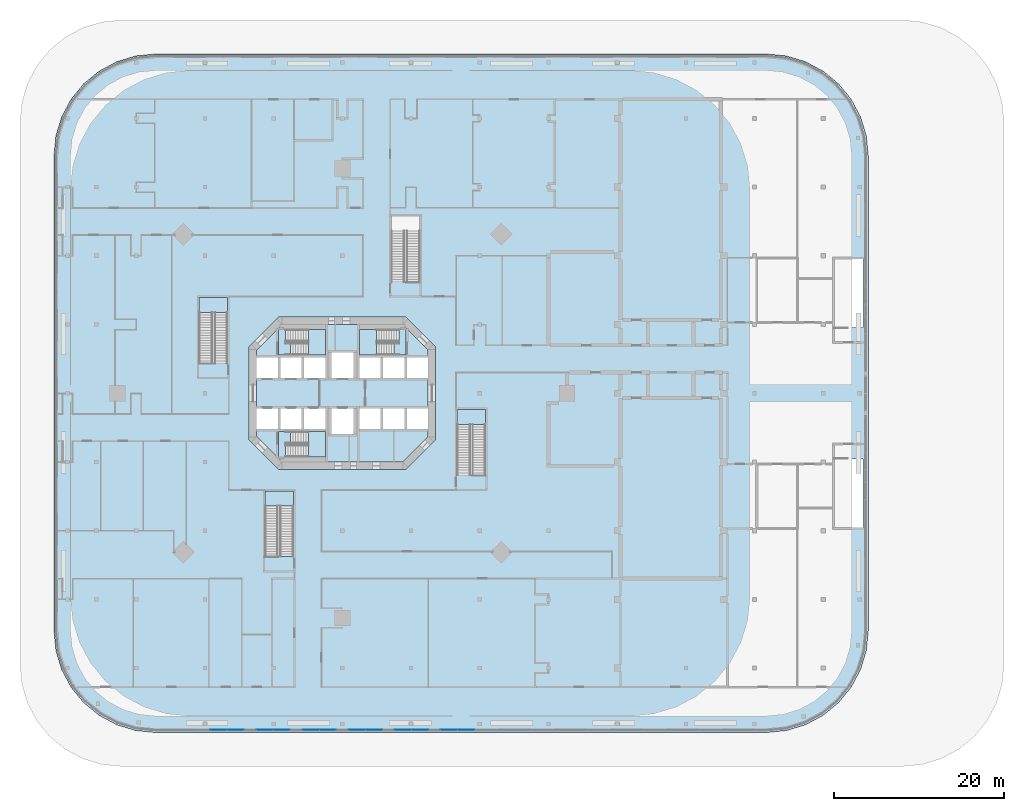
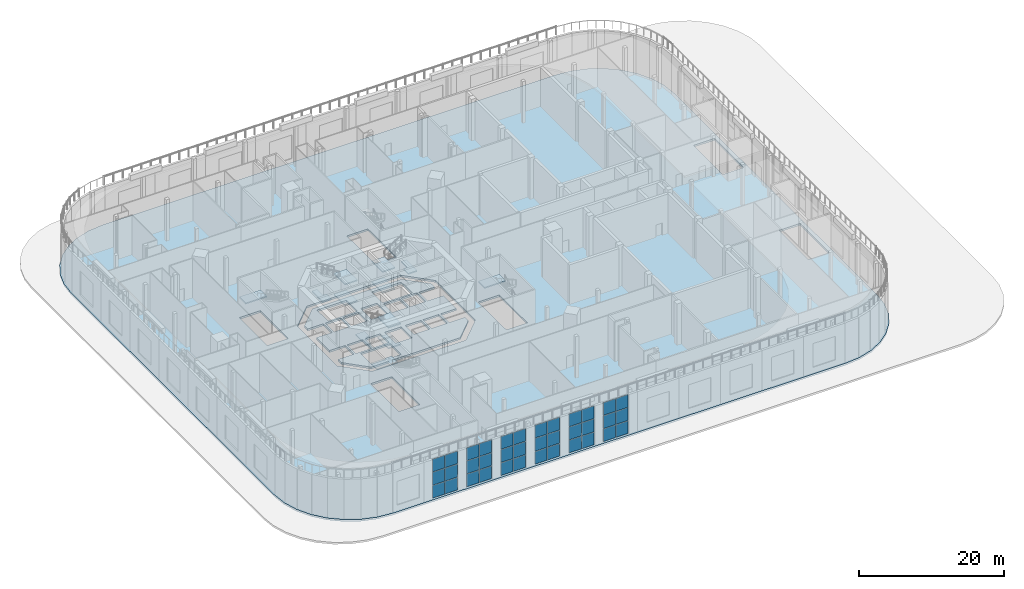
# One storey, part 4 of 21: 36 plates, 14 slabs, 12 elements without a shape of their own.
"""IFC4 building model written with IfcOpenShell, lengths in metres."""

from ifc_helpers import new_model, si_unit, direction, frame, origin, origin_2d, place, context, subcontext, project, spatial, polyline, rectangle, outline, extrude, material, layer, layer_set, type_object, element, aggregate, save


model = new_model("IFC4")

# Units and contexts
model_context = context("Model", 3, precision=1e-05, world=origin(), true_north=direction((0.0, 1.0)))
body_context = subcontext(model_context, "Body", "Model", "MODEL_VIEW")
ifc_project = project(units=[si_unit("LENGTHUNIT", "METRE"), si_unit("AREAUNIT", "SQUARE_METRE"), si_unit("VOLUMEUNIT", "CUBIC_METRE"), si_unit("PLANEANGLEUNIT", "RADIAN"), si_unit("MASSUNIT", "GRAM", prefix="KILO")], contexts=[model_context])

# Site, building, storey
site_placement = place(None, origin())
site = spatial("IfcSite", under=ifc_project, at=site_placement, CompositionType="ELEMENT")
building_placement = place(site_placement, origin())
building = spatial("IfcBuilding", under=site, at=building_placement, Name="Torre Triforio", CompositionType="ELEMENT")
storey_placement = place(building_placement, frame((0.0, 0.0, 6.0)))
storey = spatial("IfcBuildingStorey", under=building, at=storey_placement, Name="L01", CompositionType="ELEMENT", Elevation=6.0)

# Slab
ifc_material_1 = material(Name="Concrete C60", Category="concrete")
ifc_layer_1 = layer(ifc_material_1, 0.320068359375)
ifc_layer_set_1 = layer_set([ifc_layer_1], Name="Concrete C60")
slab_type_1 = type_object("IfcSlabType", Name="Core floor slab 320 mm C60 REI 120", PredefinedType="FLOOR", material=ifc_layer_set_1)
slab_1_placement = place(storey_placement, frame((0.0, 0.0, -0.320068359375)))
element("IfcSlab", 1, at=slab_1_placement, inside=storey, type_object=slab_type_1, Name="Core floor slab", PredefinedType="FLOOR", context=body_context, shape_type="SweptSolid", body=[
    extrude(outline(polyline([(10.10009765625, -5.10009765625), (7.10009765625, -8.10009765625), (-7.10009765625, -8.10009765625), (-10.10009765625, -5.10009765625), (-10.10009765625, -4.199951171875), (-7.60009765625, -4.199951171875), (-7.60009765625, -1.800048828125), (-10.10009765625, -1.800048828125), (-10.10009765625, 1.800048828125), (-7.60009765625, 1.800048828125), (-7.60009765625, 4.199951171875), (-10.10009765625, 4.199951171875), (-10.10009765625, 5.10009765625), (-7.10009765625, 8.10009765625), (7.10009765625, 8.10009765625), (10.10009765625, 5.10009765625), (10.10009765625, 4.199951171875), (7.60009765625, 4.199951171875), (7.60009765625, 1.800048828125), (10.10009765625, 1.800048828125), (10.10009765625, -1.800048828125), (7.60009765625, -1.800048828125), (7.60009765625, -4.199951171875), (10.10009765625, -4.199951171875), (10.10009765625, -5.10009765625)]), holes=[polyline([(-2.0, -4.5), (-6.696044921875, -4.5), (-6.696044921875, -7.5), (-2.0, -7.5), (-2.0, -4.5)]), polyline([(-4.800048828125, -1.800048828125), (-7.300048828125, -1.800048828125), (-7.300048828125, -4.199951171875), (-4.800048828125, -4.199951171875), (-4.800048828125, -1.800048828125)]), polyline([(-2.0, -1.800048828125), (-4.5, -1.800048828125), (-4.5, -4.199951171875), (-2.0, -4.199951171875), (-2.0, -1.800048828125)]), polyline([(-4.800048828125, 4.199951171875), (-7.300048828125, 4.199951171875), (-7.300048828125, 1.800048828125), (-4.800048828125, 1.800048828125), (-4.800048828125, 4.199951171875)]), polyline([(-2.0, 4.199951171875), (-4.5, 4.199951171875), (-4.5, 1.800048828125), (-2.0, 1.800048828125), (-2.0, 4.199951171875)]), polyline([(1.300048828125, 4.800048828125), (-1.300048828125, 4.800048828125), (-1.300048828125, 1.800048828125), (1.300048828125, 1.800048828125), (1.300048828125, 4.800048828125)]), polyline([(-2.0, 7.5), (-6.696044921875, 7.5), (-6.696044921875, 4.5), (-2.0, 4.5), (-2.0, 7.5)]), polyline([(1.300048828125, -1.800048828125), (-1.300048828125, -1.800048828125), (-1.300048828125, -4.800048828125), (1.300048828125, -4.800048828125), (1.300048828125, -1.800048828125)]), polyline([(4.5, -1.800048828125), (2.0, -1.800048828125), (2.0, -4.199951171875), (4.5, -4.199951171875), (4.5, -1.800048828125)]), polyline([(7.300048828125, -1.800048828125), (4.800048828125, -1.800048828125), (4.800048828125, -4.199951171875), (7.300048828125, -4.199951171875), (7.300048828125, -1.800048828125)]), polyline([(4.5, 4.199951171875), (2.0, 4.199951171875), (2.0, 1.800048828125), (4.5, 1.800048828125), (4.5, 4.199951171875)]), polyline([(7.300048828125, 4.199951171875), (4.800048828125, 4.199951171875), (4.800048828125, 1.800048828125), (7.300048828125, 1.800048828125), (7.300048828125, 4.199951171875)]), polyline([(6.696044921875, 4.5), (6.696044921875, 7.5), (2.0, 7.5), (2.0, 4.5), (6.696044921875, 4.5)])]), origin(), (0.0, 0.0, 1.0), 0.320068359375),
])

# Curtain wall, plates
ifc_material_2 = material(Name="Aluminium mullion and transom frame with clear laminated glass", Category="aluminium")
curtain_wall_type = type_object("IfcCurtainWallType", Name="Studio foyer curtain wall ECW2", PredefinedType="NOTDEFINED", material=ifc_material_2)
curtain_wall_1_placement = place(storey_placement, origin())
curtain_wall_1 = element("IfcCurtainWall", 2, at=curtain_wall_1_placement, inside=storey, type_object=curtain_wall_type, Name="Studio foyer curtain wall L01 36.1.2.1", PredefinedType="NOTDEFINED")
ifc_material_3 = material(Name="Clear laminated glass", Category="glass")
ifc_layer_2 = layer(ifc_material_3, 0.030029296875)
ifc_layer_set_2 = layer_set([ifc_layer_2], Name="Clear laminated glass")
plate_type = type_object("IfcPlateType", Name="ECW2 glass panel 30", PredefinedType="CURTAIN_PANEL", material=ifc_layer_set_2)
plate_1_placement = place(storey_placement, frame((-14.5869140625, -39.675048828125, 0.070068359375), z_axis=(0.0, 0.0, 1.0), x_axis=(1.0, 0.0, 0.0)))
plate_1 = element("IfcPlate", 3, at=plate_1_placement, type_object=plate_type, Name="ECW2 panel 1.1", PredefinedType="CURTAIN_PANEL", context=body_context, shape_type="SweptSolid", body=[
    extrude(rectangle(XDim=1.93505859375, YDim=0.030029296875, at=origin_2d()), origin(), (0.0, 0.0, 1.0), 2.12158203125),
])
plate_2_placement = place(storey_placement, frame((-14.5869140625, -39.675048828125, 2.26171875), z_axis=(0.0, 0.0, 1.0), x_axis=(1.0, 0.0, 0.0)))
plate_2 = element("IfcPlate", 4, at=plate_2_placement, type_object=plate_type, Name="ECW2 panel 1.2", PredefinedType="CURTAIN_PANEL", context=body_context, shape_type="SweptSolid", body=[
    extrude(rectangle(XDim=1.93505859375, YDim=0.030029296875, at=origin_2d()), origin(), (0.0, 0.0, 1.0), 2.156494140625),
])
plate_3_placement = place(storey_placement, frame((-14.5869140625, -39.675048828125, 4.48828125), z_axis=(0.0, 0.0, 1.0), x_axis=(1.0, 0.0, 0.0)))
plate_3 = element("IfcPlate", 5, at=plate_3_placement, type_object=plate_type, Name="ECW2 panel 1.3", PredefinedType="CURTAIN_PANEL", context=body_context, shape_type="SweptSolid", body=[
    extrude(rectangle(XDim=1.93505859375, YDim=0.030029296875, at=origin_2d()), origin(), (0.0, 0.0, 1.0), 2.12158203125),
])
plate_4_placement = place(storey_placement, frame((-12.591796875, -39.675048828125, 0.070068359375), z_axis=(0.0, 0.0, 1.0), x_axis=(1.0, 0.0, 0.0)))
plate_4 = element("IfcPlate", 6, at=plate_4_placement, type_object=plate_type, Name="ECW2 panel 2.1", PredefinedType="CURTAIN_PANEL", context=body_context, shape_type="SweptSolid", body=[
    extrude(rectangle(XDim=1.93505859375, YDim=0.030029296875, at=origin_2d()), origin(), (0.0, 0.0, 1.0), 2.12158203125),
])
plate_5_placement = place(storey_placement, frame((-12.591796875, -39.675048828125, 2.26171875), z_axis=(0.0, 0.0, 1.0), x_axis=(1.0, 0.0, 0.0)))
plate_5 = element("IfcPlate", 7, at=plate_5_placement, type_object=plate_type, Name="ECW2 panel 2.2", PredefinedType="CURTAIN_PANEL", context=body_context, shape_type="SweptSolid", body=[
    extrude(rectangle(XDim=1.93505859375, YDim=0.030029296875, at=origin_2d()), origin(), (0.0, 0.0, 1.0), 2.156494140625),
])
plate_6_placement = place(storey_placement, frame((-12.591796875, -39.675048828125, 4.48828125), z_axis=(0.0, 0.0, 1.0), x_axis=(1.0, 0.0, 0.0)))
plate_6 = element("IfcPlate", 8, at=plate_6_placement, type_object=plate_type, Name="ECW2 panel 2.3", PredefinedType="CURTAIN_PANEL", context=body_context, shape_type="SweptSolid", body=[
    extrude(rectangle(XDim=1.93505859375, YDim=0.030029296875, at=origin_2d()), origin(), (0.0, 0.0, 1.0), 2.12158203125),
])
aggregate(curtain_wall_1, [plate_1, plate_2, plate_3, plate_4, plate_5, plate_6])

curtain_wall_2_placement = place(storey_placement, origin())
curtain_wall_2 = element("IfcCurtainWall", 9, at=curtain_wall_2_placement, inside=storey, type_object=curtain_wall_type, Name="Studio foyer curtain wall L01 36.1.2.2", PredefinedType="NOTDEFINED")
plate_7_placement = place(storey_placement, frame((-9.151123046875, -39.675048828125, 0.070068359375), z_axis=(0.0, 0.0, 1.0), x_axis=(1.0, 0.0, 0.0)))
plate_7 = element("IfcPlate", 10, at=plate_7_placement, type_object=plate_type, Name="ECW2 panel 1.1", PredefinedType="CURTAIN_PANEL", context=body_context, shape_type="SweptSolid", body=[
    extrude(rectangle(XDim=1.93505859375, YDim=0.030029296875, at=origin_2d()), origin(), (0.0, 0.0, 1.0), 2.12158203125),
])
plate_8_placement = place(storey_placement, frame((-9.151123046875, -39.675048828125, 2.26171875), z_axis=(0.0, 0.0, 1.0), x_axis=(1.0, 0.0, 0.0)))
plate_8 = element("IfcPlate", 11, at=plate_8_placement, type_object=plate_type, Name="ECW2 panel 1.2", PredefinedType="CURTAIN_PANEL", context=body_context, shape_type="SweptSolid", body=[
    extrude(rectangle(XDim=1.93505859375, YDim=0.030029296875, at=origin_2d()), origin(), (0.0, 0.0, 1.0), 2.156494140625),
])
plate_9_placement = place(storey_placement, frame((-9.151123046875, -39.675048828125, 4.48828125), z_axis=(0.0, 0.0, 1.0), x_axis=(1.0, 0.0, 0.0)))
plate_9 = element("IfcPlate", 12, at=plate_9_placement, type_object=plate_type, Name="ECW2 panel 1.3", PredefinedType="CURTAIN_PANEL", context=body_context, shape_type="SweptSolid", body=[
    extrude(rectangle(XDim=1.93505859375, YDim=0.030029296875, at=origin_2d()), origin(), (0.0, 0.0, 1.0), 2.12158203125),
])
plate_10_placement = place(storey_placement, frame((-7.156005859375, -39.675048828125, 0.070068359375), z_axis=(0.0, 0.0, 1.0), x_axis=(1.0, 0.0, 0.0)))
plate_10 = element("IfcPlate", 13, at=plate_10_placement, type_object=plate_type, Name="ECW2 panel 2.1", PredefinedType="CURTAIN_PANEL", context=body_context, shape_type="SweptSolid", body=[
    extrude(rectangle(XDim=1.93505859375, YDim=0.030029296875, at=origin_2d()), origin(), (0.0, 0.0, 1.0), 2.12158203125),
])
plate_11_placement = place(storey_placement, frame((-7.156005859375, -39.675048828125, 2.26171875), z_axis=(0.0, 0.0, 1.0), x_axis=(1.0, 0.0, 0.0)))
plate_11 = element("IfcPlate", 14, at=plate_11_placement, type_object=plate_type, Name="ECW2 panel 2.2", PredefinedType="CURTAIN_PANEL", context=body_context, shape_type="SweptSolid", body=[
    extrude(rectangle(XDim=1.93505859375, YDim=0.030029296875, at=origin_2d()), origin(), (0.0, 0.0, 1.0), 2.156494140625),
])
plate_12_placement = place(storey_placement, frame((-7.156005859375, -39.675048828125, 4.48828125), z_axis=(0.0, 0.0, 1.0), x_axis=(1.0, 0.0, 0.0)))
plate_12 = element("IfcPlate", 15, at=plate_12_placement, type_object=plate_type, Name="ECW2 panel 2.3", PredefinedType="CURTAIN_PANEL", context=body_context, shape_type="SweptSolid", body=[
    extrude(rectangle(XDim=1.93505859375, YDim=0.030029296875, at=origin_2d()), origin(), (0.0, 0.0, 1.0), 2.12158203125),
])
aggregate(curtain_wall_2, [plate_7, plate_8, plate_9, plate_10, plate_11, plate_12])

curtain_wall_3_placement = place(storey_placement, origin())
curtain_wall_3 = element("IfcCurtainWall", 16, at=curtain_wall_3_placement, inside=storey, type_object=curtain_wall_type, Name="Studio foyer curtain wall L01 36.1.2.3", PredefinedType="NOTDEFINED")
plate_13_placement = place(storey_placement, frame((-3.71533203125, -39.675048828125, 0.070068359375), z_axis=(0.0, 0.0, 1.0), x_axis=(1.0, 0.0, 0.0)))
plate_13 = element("IfcPlate", 17, at=plate_13_placement, type_object=plate_type, Name="ECW2 panel 1.1", PredefinedType="CURTAIN_PANEL", context=body_context, shape_type="SweptSolid", body=[
    extrude(rectangle(XDim=1.93505859375, YDim=0.030029296875, at=origin_2d()), origin(), (0.0, 0.0, 1.0), 2.12158203125),
])
plate_14_placement = place(storey_placement, frame((-3.71533203125, -39.675048828125, 2.26171875), z_axis=(0.0, 0.0, 1.0), x_axis=(1.0, 0.0, 0.0)))
plate_14 = element("IfcPlate", 18, at=plate_14_placement, type_object=plate_type, Name="ECW2 panel 1.2", PredefinedType="CURTAIN_PANEL", context=body_context, shape_type="SweptSolid", body=[
    extrude(rectangle(XDim=1.93505859375, YDim=0.030029296875, at=origin_2d()), origin(), (0.0, 0.0, 1.0), 2.156494140625),
])
plate_15_placement = place(storey_placement, frame((-3.71533203125, -39.675048828125, 4.48828125), z_axis=(0.0, 0.0, 1.0), x_axis=(1.0, 0.0, 0.0)))
plate_15 = element("IfcPlate", 19, at=plate_15_placement, type_object=plate_type, Name="ECW2 panel 1.3", PredefinedType="CURTAIN_PANEL", context=body_context, shape_type="SweptSolid", body=[
    extrude(rectangle(XDim=1.93505859375, YDim=0.030029296875, at=origin_2d()), origin(), (0.0, 0.0, 1.0), 2.12158203125),
])
plate_16_placement = place(storey_placement, frame((-1.720458984375, -39.675048828125, 0.070068359375), z_axis=(0.0, 0.0, 1.0), x_axis=(1.0, 0.0, 0.0)))
plate_16 = element("IfcPlate", 20, at=plate_16_placement, type_object=plate_type, Name="ECW2 panel 2.1", PredefinedType="CURTAIN_PANEL", context=body_context, shape_type="SweptSolid", body=[
    extrude(rectangle(XDim=1.93505859375, YDim=0.030029296875, at=origin_2d()), origin(), (0.0, 0.0, 1.0), 2.12158203125),
])
plate_17_placement = place(storey_placement, frame((-1.720458984375, -39.675048828125, 2.26171875), z_axis=(0.0, 0.0, 1.0), x_axis=(1.0, 0.0, 0.0)))
plate_17 = element("IfcPlate", 21, at=plate_17_placement, type_object=plate_type, Name="ECW2 panel 2.2", PredefinedType="CURTAIN_PANEL", context=body_context, shape_type="SweptSolid", body=[
    extrude(rectangle(XDim=1.93505859375, YDim=0.030029296875, at=origin_2d()), origin(), (0.0, 0.0, 1.0), 2.156494140625),
])
plate_18_placement = place(storey_placement, frame((-1.720458984375, -39.675048828125, 4.48828125), z_axis=(0.0, 0.0, 1.0), x_axis=(1.0, 0.0, 0.0)))
plate_18 = element("IfcPlate", 22, at=plate_18_placement, type_object=plate_type, Name="ECW2 panel 2.3", PredefinedType="CURTAIN_PANEL", context=body_context, shape_type="SweptSolid", body=[
    extrude(rectangle(XDim=1.93505859375, YDim=0.030029296875, at=origin_2d()), origin(), (0.0, 0.0, 1.0), 2.12158203125),
])
aggregate(curtain_wall_3, [plate_13, plate_14, plate_15, plate_16, plate_17, plate_18])

curtain_wall_4_placement = place(storey_placement, origin())
curtain_wall_4 = element("IfcCurtainWall", 23, at=curtain_wall_4_placement, inside=storey, type_object=curtain_wall_type, Name="Studio foyer curtain wall L01 36.1.2.4", PredefinedType="NOTDEFINED")
plate_19_placement = place(storey_placement, frame((1.720458984375, -39.675048828125, 0.070068359375), z_axis=(0.0, 0.0, 1.0), x_axis=(1.0, 0.0, 0.0)))
plate_19 = element("IfcPlate", 24, at=plate_19_placement, type_object=plate_type, Name="ECW2 panel 1.1", PredefinedType="CURTAIN_PANEL", context=body_context, shape_type="SweptSolid", body=[
    extrude(rectangle(XDim=1.93505859375, YDim=0.030029296875, at=origin_2d()), origin(), (0.0, 0.0, 1.0), 2.12158203125),
])
plate_20_placement = place(storey_placement, frame((1.720458984375, -39.675048828125, 2.26171875), z_axis=(0.0, 0.0, 1.0), x_axis=(1.0, 0.0, 0.0)))
plate_20 = element("IfcPlate", 25, at=plate_20_placement, type_object=plate_type, Name="ECW2 panel 1.2", PredefinedType="CURTAIN_PANEL", context=body_context, shape_type="SweptSolid", body=[
    extrude(rectangle(XDim=1.93505859375, YDim=0.030029296875, at=origin_2d()), origin(), (0.0, 0.0, 1.0), 2.156494140625),
])
plate_21_placement = place(storey_placement, frame((1.720458984375, -39.675048828125, 4.48828125), z_axis=(0.0, 0.0, 1.0), x_axis=(1.0, 0.0, 0.0)))
plate_21 = element("IfcPlate", 26, at=plate_21_placement, type_object=plate_type, Name="ECW2 panel 1.3", PredefinedType="CURTAIN_PANEL", context=body_context, shape_type="SweptSolid", body=[
    extrude(rectangle(XDim=1.93505859375, YDim=0.030029296875, at=origin_2d()), origin(), (0.0, 0.0, 1.0), 2.12158203125),
])
plate_22_placement = place(storey_placement, frame((3.71533203125, -39.675048828125, 0.070068359375), z_axis=(0.0, 0.0, 1.0), x_axis=(1.0, 0.0, 0.0)))
plate_22 = element("IfcPlate", 27, at=plate_22_placement, type_object=plate_type, Name="ECW2 panel 2.1", PredefinedType="CURTAIN_PANEL", context=body_context, shape_type="SweptSolid", body=[
    extrude(rectangle(XDim=1.93505859375, YDim=0.030029296875, at=origin_2d()), origin(), (0.0, 0.0, 1.0), 2.12158203125),
])
plate_23_placement = place(storey_placement, frame((3.71533203125, -39.675048828125, 2.26171875), z_axis=(0.0, 0.0, 1.0), x_axis=(1.0, 0.0, 0.0)))
plate_23 = element("IfcPlate", 28, at=plate_23_placement, type_object=plate_type, Name="ECW2 panel 2.2", PredefinedType="CURTAIN_PANEL", context=body_context, shape_type="SweptSolid", body=[
    extrude(rectangle(XDim=1.93505859375, YDim=0.030029296875, at=origin_2d()), origin(), (0.0, 0.0, 1.0), 2.156494140625),
])
plate_24_placement = place(storey_placement, frame((3.71533203125, -39.675048828125, 4.48828125), z_axis=(0.0, 0.0, 1.0), x_axis=(1.0, 0.0, 0.0)))
plate_24 = element("IfcPlate", 29, at=plate_24_placement, type_object=plate_type, Name="ECW2 panel 2.3", PredefinedType="CURTAIN_PANEL", context=body_context, shape_type="SweptSolid", body=[
    extrude(rectangle(XDim=1.93505859375, YDim=0.030029296875, at=origin_2d()), origin(), (0.0, 0.0, 1.0), 2.12158203125),
])
aggregate(curtain_wall_4, [plate_19, plate_20, plate_21, plate_22, plate_23, plate_24])

curtain_wall_5_placement = place(storey_placement, origin())
curtain_wall_5 = element("IfcCurtainWall", 30, at=curtain_wall_5_placement, inside=storey, type_object=curtain_wall_type, Name="Studio foyer curtain wall L01 36.1.2.5", PredefinedType="NOTDEFINED")
plate_25_placement = place(storey_placement, frame((7.156005859375, -39.675048828125, 0.070068359375), z_axis=(0.0, 0.0, 1.0), x_axis=(1.0, 0.0, 0.0)))
plate_25 = element("IfcPlate", 31, at=plate_25_placement, type_object=plate_type, Name="ECW2 panel 1.1", PredefinedType="CURTAIN_PANEL", context=body_context, shape_type="SweptSolid", body=[
    extrude(rectangle(XDim=1.93505859375, YDim=0.030029296875, at=origin_2d()), origin(), (0.0, 0.0, 1.0), 2.12158203125),
])
plate_26_placement = place(storey_placement, frame((7.156005859375, -39.675048828125, 2.26171875), z_axis=(0.0, 0.0, 1.0), x_axis=(1.0, 0.0, 0.0)))
plate_26 = element("IfcPlate", 32, at=plate_26_placement, type_object=plate_type, Name="ECW2 panel 1.2", PredefinedType="CURTAIN_PANEL", context=body_context, shape_type="SweptSolid", body=[
    extrude(rectangle(XDim=1.93505859375, YDim=0.030029296875, at=origin_2d()), origin(), (0.0, 0.0, 1.0), 2.156494140625),
])
plate_27_placement = place(storey_placement, frame((7.156005859375, -39.675048828125, 4.48828125), z_axis=(0.0, 0.0, 1.0), x_axis=(1.0, 0.0, 0.0)))
plate_27 = element("IfcPlate", 33, at=plate_27_placement, type_object=plate_type, Name="ECW2 panel 1.3", PredefinedType="CURTAIN_PANEL", context=body_context, shape_type="SweptSolid", body=[
    extrude(rectangle(XDim=1.93505859375, YDim=0.030029296875, at=origin_2d()), origin(), (0.0, 0.0, 1.0), 2.12158203125),
])
plate_28_placement = place(storey_placement, frame((9.151123046875, -39.675048828125, 0.070068359375), z_axis=(0.0, 0.0, 1.0), x_axis=(1.0, 0.0, 0.0)))
plate_28 = element("IfcPlate", 34, at=plate_28_placement, type_object=plate_type, Name="ECW2 panel 2.1", PredefinedType="CURTAIN_PANEL", context=body_context, shape_type="SweptSolid", body=[
    extrude(rectangle(XDim=1.93505859375, YDim=0.030029296875, at=origin_2d()), origin(), (0.0, 0.0, 1.0), 2.12158203125),
])
plate_29_placement = place(storey_placement, frame((9.151123046875, -39.675048828125, 2.26171875), z_axis=(0.0, 0.0, 1.0), x_axis=(1.0, 0.0, 0.0)))
plate_29 = element("IfcPlate", 35, at=plate_29_placement, type_object=plate_type, Name="ECW2 panel 2.2", PredefinedType="CURTAIN_PANEL", context=body_context, shape_type="SweptSolid", body=[
    extrude(rectangle(XDim=1.93505859375, YDim=0.030029296875, at=origin_2d()), origin(), (0.0, 0.0, 1.0), 2.156494140625),
])
plate_30_placement = place(storey_placement, frame((9.151123046875, -39.675048828125, 4.48828125), z_axis=(0.0, 0.0, 1.0), x_axis=(1.0, 0.0, 0.0)))
plate_30 = element("IfcPlate", 36, at=plate_30_placement, type_object=plate_type, Name="ECW2 panel 2.3", PredefinedType="CURTAIN_PANEL", context=body_context, shape_type="SweptSolid", body=[
    extrude(rectangle(XDim=1.93505859375, YDim=0.030029296875, at=origin_2d()), origin(), (0.0, 0.0, 1.0), 2.12158203125),
])
aggregate(curtain_wall_5, [plate_25, plate_26, plate_27, plate_28, plate_29, plate_30])

curtain_wall_6_placement = place(storey_placement, origin())
curtain_wall_6 = element("IfcCurtainWall", 37, at=curtain_wall_6_placement, inside=storey, type_object=curtain_wall_type, Name="Studio foyer curtain wall L01 36.1.2.6", PredefinedType="NOTDEFINED")
plate_31_placement = place(storey_placement, frame((12.591796875, -39.675048828125, 0.070068359375), z_axis=(0.0, 0.0, 1.0), x_axis=(1.0, 0.0, 0.0)))
plate_31 = element("IfcPlate", 38, at=plate_31_placement, type_object=plate_type, Name="ECW2 panel 1.1", PredefinedType="CURTAIN_PANEL", context=body_context, shape_type="SweptSolid", body=[
    extrude(rectangle(XDim=1.93505859375, YDim=0.030029296875, at=origin_2d()), origin(), (0.0, 0.0, 1.0), 2.12158203125),
])
plate_32_placement = place(storey_placement, frame((12.591796875, -39.675048828125, 2.26171875), z_axis=(0.0, 0.0, 1.0), x_axis=(1.0, 0.0, 0.0)))
plate_32 = element("IfcPlate", 39, at=plate_32_placement, type_object=plate_type, Name="ECW2 panel 1.2", PredefinedType="CURTAIN_PANEL", context=body_context, shape_type="SweptSolid", body=[
    extrude(rectangle(XDim=1.93505859375, YDim=0.030029296875, at=origin_2d()), origin(), (0.0, 0.0, 1.0), 2.156494140625),
])
plate_33_placement = place(storey_placement, frame((12.591796875, -39.675048828125, 4.48828125), z_axis=(0.0, 0.0, 1.0), x_axis=(1.0, 0.0, 0.0)))
plate_33 = element("IfcPlate", 40, at=plate_33_placement, type_object=plate_type, Name="ECW2 panel 1.3", PredefinedType="CURTAIN_PANEL", context=body_context, shape_type="SweptSolid", body=[
    extrude(rectangle(XDim=1.93505859375, YDim=0.030029296875, at=origin_2d()), origin(), (0.0, 0.0, 1.0), 2.12158203125),
])
plate_34_placement = place(storey_placement, frame((14.5869140625, -39.675048828125, 0.070068359375), z_axis=(0.0, 0.0, 1.0), x_axis=(1.0, 0.0, 0.0)))
plate_34 = element("IfcPlate", 41, at=plate_34_placement, type_object=plate_type, Name="ECW2 panel 2.1", PredefinedType="CURTAIN_PANEL", context=body_context, shape_type="SweptSolid", body=[
    extrude(rectangle(XDim=1.93505859375, YDim=0.030029296875, at=origin_2d()), origin(), (0.0, 0.0, 1.0), 2.12158203125),
])
plate_35_placement = place(storey_placement, frame((14.5869140625, -39.675048828125, 2.26171875), z_axis=(0.0, 0.0, 1.0), x_axis=(1.0, 0.0, 0.0)))
plate_35 = element("IfcPlate", 42, at=plate_35_placement, type_object=plate_type, Name="ECW2 panel 2.2", PredefinedType="CURTAIN_PANEL", context=body_context, shape_type="SweptSolid", body=[
    extrude(rectangle(XDim=1.93505859375, YDim=0.030029296875, at=origin_2d()), origin(), (0.0, 0.0, 1.0), 2.156494140625),
])
plate_36_placement = place(storey_placement, frame((14.5869140625, -39.675048828125, 4.48828125), z_axis=(0.0, 0.0, 1.0), x_axis=(1.0, 0.0, 0.0)))
plate_36 = element("IfcPlate", 43, at=plate_36_placement, type_object=plate_type, Name="ECW2 panel 2.3", PredefinedType="CURTAIN_PANEL", context=body_context, shape_type="SweptSolid", body=[
    extrude(rectangle(XDim=1.93505859375, YDim=0.030029296875, at=origin_2d()), origin(), (0.0, 0.0, 1.0), 2.12158203125),
])
aggregate(curtain_wall_6, [plate_31, plate_32, plate_33, plate_34, plate_35, plate_36])

# Stair, slab
ifc_material_4 = material(Name="Concrete C40", Category="concrete")
stair_type_1 = type_object("IfcStairType", Name="Egress stair 1400 clear", PredefinedType="NOTDEFINED", material=ifc_material_4)
stair_1_placement = place(storey_placement, origin())
stair_1 = element("IfcStair", 44, at=stair_1_placement, inside=storey, type_object=stair_type_1, Name="Exit stair PS1 L01 to L02", PredefinedType="NOTDEFINED")
ifc_layer_3 = layer(ifc_material_4, 0.199951171875)
ifc_layer_set_3 = layer_set([ifc_layer_3], Name="Concrete C40")
slab_type_2 = type_object("IfcSlabType", Name="Egress stair landing 200", PredefinedType="LANDING", material=ifc_layer_set_3)
slab_2_placement = place(storey_placement, frame((0.0, 0.0, 3.300048828125)))
slab_2 = element("IfcSlab", 45, at=slab_2_placement, type_object=slab_type_2, Name="PS1 landing 1", PredefinedType="LANDING", context=body_context, shape_type="SweptSolid", body=[
    extrude(outline(polyline([(-16.875, 9.52490234375), (-13.52490234375, 9.52490234375), (-13.52490234375, 11.27490234375), (-16.875, 11.27490234375), (-16.875, 9.52490234375)])), origin(), (0.0, 0.0, 1.0), 0.199951171875),
])
aggregate(stair_1, [slab_2])

stair_2_placement = place(storey_placement, origin())
stair_2 = element("IfcStair", 46, at=stair_2_placement, inside=storey, type_object=stair_type_1, Name="Exit stair PS2 L01 to L02", PredefinedType="NOTDEFINED")
slab_3_placement = place(storey_placement, frame((0.0, 0.0, 3.300048828125)))
slab_3 = element("IfcSlab", 47, at=slab_3_placement, type_object=slab_type_2, Name="PS2 landing 1", PredefinedType="LANDING", context=body_context, shape_type="SweptSolid", body=[
    extrude(outline(polyline([(13.52490234375, -3.675048828125), (16.875, -3.675048828125), (16.875, -1.925048828125), (13.52490234375, -1.925048828125), (13.52490234375, -3.675048828125)])), origin(), (0.0, 0.0, 1.0), 0.199951171875),
])
aggregate(stair_2, [slab_3])

stair_3_placement = place(storey_placement, origin())
stair_3 = element("IfcStair", 48, at=stair_3_placement, inside=storey, type_object=stair_type_1, Name="Exit stair PS3 L01 to L02", PredefinedType="NOTDEFINED")
slab_4_placement = place(storey_placement, frame((0.0, 0.0, 3.300048828125)))
slab_4 = element("IfcSlab", 49, at=slab_4_placement, type_object=slab_type_2, Name="PS3 landing 1", PredefinedType="LANDING", context=body_context, shape_type="SweptSolid", body=[
    extrude(outline(polyline([(-9.125, -13.27490234375), (-5.77490234375, -13.27490234375), (-5.77490234375, -11.52490234375), (-9.125, -11.52490234375), (-9.125, -13.27490234375)])), origin(), (0.0, 0.0, 1.0), 0.199951171875),
])
aggregate(stair_3, [slab_4])

# Slab
ifc_material_5 = material(Name="Concrete C50", Category="concrete")
ifc_layer_4 = layer(ifc_material_5, 0.320068359375)
ifc_layer_set_4 = layer_set([ifc_layer_4], Name="Concrete C50")
slab_type_3 = type_object("IfcSlabType", Name="Floor slab 320 C50", PredefinedType="FLOOR", material=ifc_layer_set_4)
slab_5_placement = place(storey_placement, frame((0.0, 0.0, -0.320068359375)))
element("IfcSlab", 50, at=slab_5_placement, inside=storey, type_object=slab_type_3, Name="SL.L01", PredefinedType="FLOOR", context=body_context, shape_type="SweptSolid", body=[
    extrude(outline(polyline([(-24.341064453125, -39.76953125), (-22.0, -40.0), (50.0, -40.0), (52.341064453125, -39.76953125), (54.59228515625, -39.086669921875), (56.666748046875, -37.9775390625), (58.4853515625, -36.4853515625), (59.9775390625, -34.666748046875), (61.086669921875, -32.59228515625), (61.76953125, -30.341064453125), (62.0, -28.0), (62.0, 28.0), (61.76953125, 30.341064453125), (61.086669921875, 32.59228515625), (59.9775390625, 34.666748046875), (58.4853515625, 36.4853515625), (56.666748046875, 37.9775390625), (54.59228515625, 39.086669921875), (52.341064453125, 39.76953125), (50.0, 40.0), (-22.0, 40.0), (-24.341064453125, 39.76953125), (-26.59228515625, 39.086669921875), (-28.666748046875, 37.9775390625), (-30.4853515625, 36.4853515625), (-31.9775390625, 34.666748046875), (-33.086669921875, 32.59228515625), (-33.76953125, 30.341064453125), (-34.0, 28.0), (-34.0, -28.0), (-33.76953125, -30.341064453125), (-33.086669921875, -32.59228515625), (-31.9775390625, -34.666748046875), (-30.4853515625, -36.4853515625), (-28.666748046875, -37.9775390625), (-26.59228515625, -39.086669921875), (-24.341064453125, -39.76953125)]), holes=[polyline([(7.472900390625, 9.0), (11.0, 5.472900390625), (11.0, -5.472900390625), (7.472900390625, -9.0), (-7.472900390625, -9.0), (-11.0, -5.472900390625), (-11.0, 5.472900390625), (-7.472900390625, 9.0), (7.472900390625, 9.0)]), polyline([(-9.125, -11.52490234375), (-5.77490234375, -11.52490234375), (-5.77490234375, -19.2451171875), (-9.125, -19.2451171875), (-9.125, -11.52490234375)]), polyline([(61.375, -7.7548828125), (61.375, -15.824951171875), (58.02490234375, -15.824951171875), (58.02490234375, -7.7548828125), (61.375, -7.7548828125)]), polyline([(16.875, -1.925048828125), (16.875, -9.64501953125), (13.52490234375, -9.64501953125), (13.52490234375, -1.925048828125), (16.875, -1.925048828125)]), polyline([(-16.875, 11.27490234375), (-13.52490234375, 11.27490234375), (-13.52490234375, 3.554931640625), (-16.875, 3.554931640625), (-16.875, 11.27490234375)]), polyline([(61.375, 15.824951171875), (61.375, 7.7548828125), (58.02490234375, 7.7548828125), (58.02490234375, 15.824951171875), (61.375, 15.824951171875)]), polyline([(9.125, 20.875), (9.125, 13.155029296875), (5.77490234375, 13.155029296875), (5.77490234375, 20.875), (9.125, 20.875)])]), origin(), (0.0, 0.0, 1.0), 0.320068359375),
])

# Stair, slabs
stair_type_2 = type_object("IfcStairType", Name="STAIR DOUBLE RETURN", PredefinedType="DOUBLE_RETURN_STAIR", material=ifc_material_4)
stair_4_placement = place(storey_placement, origin())
stair_4 = element("IfcStair", 51, at=stair_4_placement, inside=storey, type_object=stair_type_2, Name="Exit stair 1", PredefinedType="DOUBLE_RETURN_STAIR")
ifc_layer_5 = layer(ifc_material_4, 0.199951171875)
ifc_layer_set_5 = layer_set([ifc_layer_5], Name="Concrete C40")
slab_type_4 = type_object("IfcSlabType", Name="STAIR LANDING 200", PredefinedType="LANDING", material=ifc_layer_set_5)
slab_6_placement = place(storey_placement, frame((0.0, 0.0, 1.550048828125)))
slab_6 = element("IfcSlab", 52, at=slab_6_placement, type_object=slab_type_4, Name="ST1 landing 1", PredefinedType="LANDING", context=body_context, shape_type="SweptSolid", body=[
    extrude(outline(polyline([(-2.0, 4.5), (-2.0, 7.5), (-4.0, 7.5), (-4.0, 4.5), (-2.0, 4.5)])), origin(), (0.0, 0.0, 1.0), 0.199951171875),
])
slab_7_placement = place(storey_placement, frame((0.0, 0.0, 3.300048828125)))
slab_7 = element("IfcSlab", 53, at=slab_7_placement, type_object=slab_type_4, Name="ST1 landing 2", PredefinedType="LANDING", context=body_context, shape_type="SweptSolid", body=[
    extrude(outline(polyline([(-6.10009765625, 5.89990234375), (-6.10009765625, 4.5), (-6.696044921875, 4.5), (-6.699951171875, 4.5), (-7.5, 4.5), (-7.5, 7.5), (-6.696044921875, 7.5), (-6.696044921875, 5.89990234375), (-6.10009765625, 5.89990234375)])), origin(), (0.0, 0.0, 1.0), 0.199951171875),
])
slab_8_placement = place(storey_placement, frame((0.0, 0.0, 5.050048828125)))
slab_8 = element("IfcSlab", 54, at=slab_8_placement, type_object=slab_type_4, Name="ST1 landing 3", PredefinedType="LANDING", context=body_context, shape_type="SweptSolid", body=[
    extrude(outline(polyline([(-2.0, 4.5), (-2.0, 7.5), (-4.0, 7.5), (-4.0, 4.5), (-2.0, 4.5)])), origin(), (0.0, 0.0, 1.0), 0.199951171875),
])
aggregate(stair_4, [slab_6, slab_7, slab_8])

stair_5_placement = place(storey_placement, origin())
stair_5 = element("IfcStair", 55, at=stair_5_placement, inside=storey, type_object=stair_type_2, Name="Exit stair 2", PredefinedType="DOUBLE_RETURN_STAIR")
slab_9_placement = place(storey_placement, frame((0.0, 0.0, 1.550048828125)))
slab_9 = element("IfcSlab", 56, at=slab_9_placement, type_object=slab_type_4, Name="ST2 landing 1", PredefinedType="LANDING", context=body_context, shape_type="SweptSolid", body=[
    extrude(outline(polyline([(4.0, 4.5), (4.0, 7.5), (2.0, 7.5), (2.0, 4.5), (4.0, 4.5)])), origin(), (0.0, 0.0, 1.0), 0.199951171875),
])
slab_10_placement = place(storey_placement, frame((0.0, 0.0, 3.300048828125)))
slab_10 = element("IfcSlab", 57, at=slab_10_placement, type_object=slab_type_4, Name="ST2 landing 2", PredefinedType="LANDING", context=body_context, shape_type="SweptSolid", body=[
    extrude(outline(polyline([(6.10009765625, 4.5), (6.10009765625, 5.89990234375), (6.696044921875, 5.89990234375), (6.696044921875, 7.5), (7.5, 7.5), (7.5, 4.5), (6.699951171875, 4.5), (6.696044921875, 4.5), (6.10009765625, 4.5)])), origin(), (0.0, 0.0, 1.0), 0.199951171875),
])
slab_11_placement = place(storey_placement, frame((0.0, 0.0, 5.050048828125)))
slab_11 = element("IfcSlab", 58, at=slab_11_placement, type_object=slab_type_4, Name="ST2 landing 3", PredefinedType="LANDING", context=body_context, shape_type="SweptSolid", body=[
    extrude(outline(polyline([(4.0, 4.5), (4.0, 7.5), (2.0, 7.5), (2.0, 4.5), (4.0, 4.5)])), origin(), (0.0, 0.0, 1.0), 0.199951171875),
])
aggregate(stair_5, [slab_9, slab_10, slab_11])

stair_6_placement = place(storey_placement, origin())
stair_6 = element("IfcStair", 59, at=stair_6_placement, inside=storey, type_object=stair_type_2, Name="Exit stair 3", PredefinedType="DOUBLE_RETURN_STAIR")
slab_12_placement = place(storey_placement, frame((0.0, 0.0, 1.550048828125)))
slab_12 = element("IfcSlab", 60, at=slab_12_placement, type_object=slab_type_4, Name="ST3 landing 1", PredefinedType="LANDING", context=body_context, shape_type="SweptSolid", body=[
    extrude(outline(polyline([(-2.0, -7.5), (-2.0, -4.5), (-4.0, -4.5), (-4.0, -7.5), (-2.0, -7.5)])), origin(), (0.0, 0.0, 1.0), 0.199951171875),
])
slab_13_placement = place(storey_placement, frame((0.0, 0.0, 3.300048828125)))
slab_13 = element("IfcSlab", 61, at=slab_13_placement, type_object=slab_type_4, Name="ST3 landing 2", PredefinedType="LANDING", context=body_context, shape_type="SweptSolid", body=[
    extrude(outline(polyline([(-6.696044921875, -7.5), (-7.5, -7.5), (-7.5, -4.5), (-6.699951171875, -4.5), (-6.696044921875, -4.5), (-6.10009765625, -4.5), (-6.10009765625, -5.89990234375), (-6.696044921875, -5.89990234375), (-6.696044921875, -7.5)])), origin(), (0.0, 0.0, 1.0), 0.199951171875),
])
slab_14_placement = place(storey_placement, frame((0.0, 0.0, 5.050048828125)))
slab_14 = element("IfcSlab", 62, at=slab_14_placement, type_object=slab_type_4, Name="ST3 landing 3", PredefinedType="LANDING", context=body_context, shape_type="SweptSolid", body=[
    extrude(outline(polyline([(-2.0, -7.5), (-2.0, -4.5), (-4.0, -4.5), (-4.0, -7.5), (-2.0, -7.5)])), origin(), (0.0, 0.0, 1.0), 0.199951171875),
])
aggregate(stair_6, [slab_12, slab_13, slab_14])

save(model, "model.ifc")
